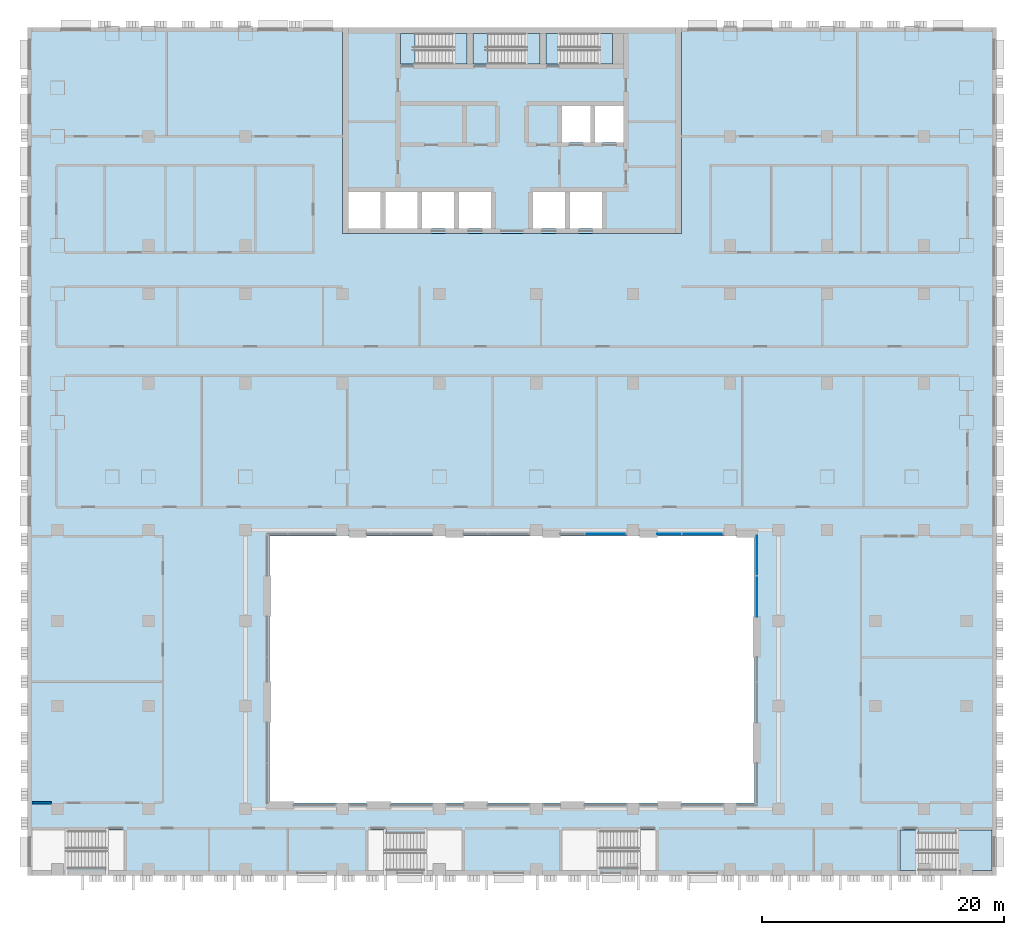
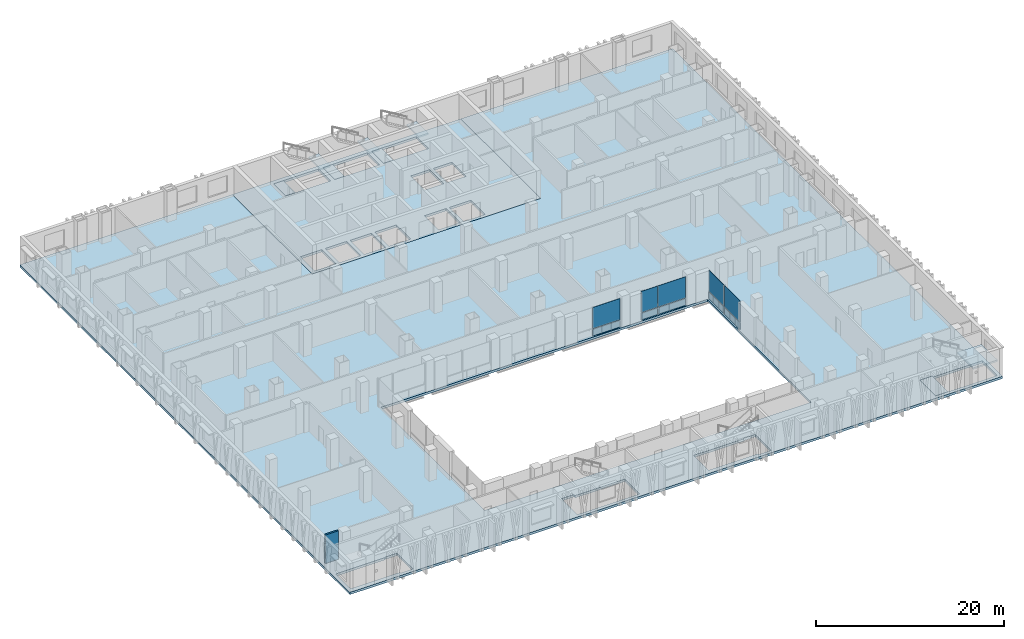
# One storey, part 6 of 25: 10 plates, 10 slabs, 1 wall, 7 elements without a shape of their own.
"""IFC4 building model written with IfcOpenShell, lengths in metres."""

from ifc_helpers import new_model, si_unit, direction, frame, frame_2d, origin, origin_2d, place, context, subcontext, project, spatial, polyline, rectangle, outline, extrude, material, layer, layer_set, type_object, element, aggregate, save


model = new_model("IFC4")

# Units and contexts
model_context = context("Model", 3, precision=1e-05, world=origin(), true_north=direction((0.0, 1.0)))
body_context = subcontext(model_context, "Body", "Model", "MODEL_VIEW")
ifc_project = project(units=[si_unit("LENGTHUNIT", "METRE"), si_unit("AREAUNIT", "SQUARE_METRE"), si_unit("VOLUMEUNIT", "CUBIC_METRE"), si_unit("PLANEANGLEUNIT", "RADIAN"), si_unit("MASSUNIT", "GRAM", prefix="KILO")], contexts=[model_context])

# Site, building, storey
site_placement = place(None, origin())
site = spatial("IfcSite", under=ifc_project, at=site_placement, CompositionType="ELEMENT")
building_placement = place(site_placement, origin())
building = spatial("IfcBuilding", under=site, at=building_placement, Name="Vidyagriha Tower", CompositionType="ELEMENT")
storey_placement = place(building_placement, frame((0.0, 0.0, 14.0)))
storey = spatial("IfcBuildingStorey", under=building, at=storey_placement, Name="L03", CompositionType="ELEMENT", Elevation=14.0)

# Curtain wall, plate
ifc_material_1 = material(Name="Aluminium and glass curtain wall", Category="aluminium")
curtain_wall_type = type_object("IfcCurtainWallType", Name="Atrium screen curtain wall", PredefinedType="USERDEFINED", material=ifc_material_1)
curtain_wall_1_placement = place(storey_placement, origin())
curtain_wall_1 = element("IfcCurtainWall", 1, at=curtain_wall_1_placement, inside=storey, type_object=curtain_wall_type, Name="CW6 atrium screen", ObjectType="UNITISED", PredefinedType="USERDEFINED")
ifc_material_2 = material(Name="Glass dark ceramic-fritted spandrel", Category="glass")
ifc_layer_1 = layer(ifc_material_2, 0.0400390625)
ifc_layer_set_1 = layer_set([ifc_layer_1], Name="Glass dark ceramic-fritted spandrel")
plate_type_1 = type_object("IfcPlateType", Name="Ceramic-fritted spandrel panel", PredefinedType="CURTAIN_PANEL", material=ifc_layer_set_1)
plate_1_placement = place(storey_placement, frame((7.717529296875, -21.800048828125, 0.0)))
plate_1 = element("IfcPlate", 2, at=plate_1_placement, type_object=plate_type_1, Name="CW6 panel 2.1", PredefinedType="CURTAIN_PANEL", context=body_context, shape_type="SweptSolid", body=[
    extrude(rectangle(XDim=3.364990234375, YDim=0.0400390625, at=origin_2d()), origin(), (0.0, 0.0, 1.0), 0.85009765625),
])

# Curtain wall, plates
curtain_wall_2_placement = place(storey_placement, origin())
curtain_wall_2 = element("IfcCurtainWall", 3, at=curtain_wall_2_placement, inside=storey, type_object=curtain_wall_type, Name="CW6 atrium screen", ObjectType="UNITISED", PredefinedType="USERDEFINED")
plate_2_placement = place(storey_placement, frame((12.982421875, -21.800048828125, 0.0)))
plate_2 = element("IfcPlate", 4, at=plate_2_placement, type_object=plate_type_1, Name="CW6 panel 1.1", PredefinedType="CURTAIN_PANEL", context=body_context, shape_type="SweptSolid", body=[
    extrude(rectangle(XDim=1.965087890625, YDim=0.0400390625, at=origin_2d()), origin(), (0.0, 0.0, 1.0), 0.85009765625),
])
plate_3_placement = place(storey_placement, frame((15.717529296875, -21.800048828125, 0.0)))
plate_3 = element("IfcPlate", 5, at=plate_3_placement, type_object=plate_type_1, Name="CW6 panel 2.1", PredefinedType="CURTAIN_PANEL", context=body_context, shape_type="SweptSolid", body=[
    extrude(rectangle(XDim=3.364990234375, YDim=0.0400390625, at=origin_2d()), origin(), (0.0, 0.0, 1.0), 0.85009765625),
])

curtain_wall_3_placement = place(storey_placement, origin())
curtain_wall_3 = element("IfcCurtainWall", 6, at=curtain_wall_3_placement, inside=storey, type_object=curtain_wall_type, Name="CW6 atrium screen", ObjectType="UNITISED", PredefinedType="USERDEFINED")
plate_4_placement = place(storey_placement, frame((20.199951171875, -23.584228515625, 0.0), z_axis=(0.0, 0.0, 1.0), x_axis=(0.0, -1.0, 0.0)))
plate_4 = element("IfcPlate", 7, at=plate_4_placement, type_object=plate_type_1, Name="CW6 panel 1.1", PredefinedType="CURTAIN_PANEL", context=body_context, shape_type="SweptSolid", body=[
    extrude(rectangle(XDim=3.268310546875, YDim=0.0400390625, at=origin_2d()), origin(), (0.0, 0.0, 1.0), 0.85009765625),
])
plate_5_placement = place(storey_placement, frame((20.199951171875, -26.95751953125, 0.0), z_axis=(0.0, 0.0, 1.0), x_axis=(0.0, -1.0, 0.0)))
plate_5 = element("IfcPlate", 8, at=plate_5_placement, type_object=plate_type_1, Name="CW6 panel 2.1", PredefinedType="CURTAIN_PANEL", context=body_context, shape_type="SweptSolid", body=[
    extrude(rectangle(XDim=3.33837890625, YDim=0.0400390625, at=origin_2d()), origin(), (0.0, 0.0, 1.0), 0.85009765625),
])

# Slab
ifc_material_3 = material(Name="Concrete C60/75", Category="concrete")
ifc_layer_2 = layer(ifc_material_3, 0.300048828125)
ifc_layer_set_2 = layer_set([ifc_layer_2], Name="Concrete C60/75")
slab_type_1 = type_object("IfcSlabType", Name="Core floor slab 300 mm", PredefinedType="FLOOR", material=ifc_layer_set_2)
slab_1_placement = place(storey_placement, frame((0.0, 0.0, -0.300048828125)))
element("IfcSlab", 9, at=slab_1_placement, inside=storey, type_object=slab_type_1, Name="L03 core floor 1", PredefinedType="FLOOR", context=body_context, shape_type="SweptSolid", body=[
    extrude(outline(polyline([(-14.0, 3.0), (-14.0, 20.0), (14.0, 20.0), (14.0, 3.0), (-14.0, 3.0)]), holes=[polyline([(9.199951171875, 13.5), (6.86669921875, 13.5), (6.86669921875, 10.5), (9.199951171875, 10.5), (9.199951171875, 13.5)]), polyline([(4.0, 19.5), (2.800048828125, 19.5), (2.800048828125, 16.949951171875), (4.0, 16.949951171875), (8.300048828125, 16.949951171875), (8.300048828125, 19.5), (4.0, 19.5)]), polyline([(7.4111328125, 6.39990234375), (4.7666015625, 6.39990234375), (4.7666015625, 3.39990234375), (7.4111328125, 3.39990234375), (7.4111328125, 6.39990234375)]), polyline([(6.466796875, 13.5), (4.13330078125, 13.5), (4.13330078125, 10.5), (6.466796875, 10.5), (6.466796875, 13.5)]), polyline([(1.72216796875, 6.39990234375), (1.72216796875, 3.39990234375), (4.36669921875, 3.39990234375), (4.36669921875, 6.39990234375), (1.72216796875, 6.39990234375)]), polyline([(-2.0, 16.949951171875), (2.300048828125, 16.949951171875), (2.300048828125, 19.5), (-2.0, 19.5), (-3.199951171875, 19.5), (-3.199951171875, 16.949951171875), (-2.0, 16.949951171875)]), polyline([(-1.72216796875, 6.39990234375), (-4.36669921875, 6.39990234375), (-4.36669921875, 3.39990234375), (-1.72216796875, 3.39990234375), (-1.72216796875, 6.39990234375)]), polyline([(-8.0, 19.5), (-9.199951171875, 19.5), (-9.199951171875, 16.949951171875), (-8.0, 16.949951171875), (-3.699951171875, 16.949951171875), (-3.699951171875, 19.5), (-8.0, 19.5)]), polyline([(-4.7666015625, 6.39990234375), (-7.4111328125, 6.39990234375), (-7.4111328125, 3.39990234375), (-4.7666015625, 3.39990234375), (-4.7666015625, 6.39990234375)]), polyline([(-7.81103515625, 6.39990234375), (-10.45556640625, 6.39990234375), (-10.45556640625, 3.39990234375), (-7.81103515625, 3.39990234375), (-7.81103515625, 6.39990234375)]), polyline([(-13.5, 6.39990234375), (-13.5, 3.39990234375), (-10.855712890625, 3.39990234375), (-10.855712890625, 6.39990234375), (-13.5, 6.39990234375)])]), origin(), (0.0, 0.0, 1.0), 0.300048828125),
])

# Plate
ifc_material_4 = material(Name="Glass dark ceramic-fritted", Category="glass")
ifc_layer_3 = layer(ifc_material_4, 0.028076171875)
ifc_layer_set_3 = layer_set([ifc_layer_3], Name="Glass dark ceramic-fritted")
plate_type_2 = type_object("IfcPlateType", Name="Dark ceramic-fritted vision glass panel", PredefinedType="CURTAIN_PANEL", material=ifc_layer_set_3)
plate_6_placement = place(storey_placement, frame((7.717529296875, -21.800048828125, 0.949951171875)))
plate_6 = element("IfcPlate", 10, at=plate_6_placement, type_object=plate_type_2, Name="CW6 panel 2.2", PredefinedType="CURTAIN_PANEL", context=body_context, shape_type="SweptSolid", body=[
    extrude(rectangle(XDim=3.364990234375, YDim=0.028076171875, at=origin_2d()), origin(), (0.0, 0.0, 1.0), 2.75),
])

aggregate(curtain_wall_1, [plate_1, plate_6])

plate_7_placement = place(storey_placement, frame((12.982421875, -21.800048828125, 0.949951171875)))
plate_7 = element("IfcPlate", 11, at=plate_7_placement, type_object=plate_type_2, Name="CW6 panel 1.2", PredefinedType="CURTAIN_PANEL", context=body_context, shape_type="SweptSolid", body=[
    extrude(rectangle(XDim=1.965087890625, YDim=0.028076171875, at=origin_2d()), origin(), (0.0, 0.0, 1.0), 2.75),
])

plate_8_placement = place(storey_placement, frame((15.717529296875, -21.800048828125, 0.949951171875)))
plate_8 = element("IfcPlate", 12, at=plate_8_placement, type_object=plate_type_2, Name="CW6 panel 2.2", PredefinedType="CURTAIN_PANEL", context=body_context, shape_type="SweptSolid", body=[
    extrude(rectangle(XDim=3.364990234375, YDim=0.028076171875, at=origin_2d()), origin(), (0.0, 0.0, 1.0), 2.75),
])

aggregate(curtain_wall_2, [plate_2, plate_7, plate_3, plate_8])

plate_9_placement = place(storey_placement, frame((20.199951171875, -23.584228515625, 0.949951171875), z_axis=(0.0, 0.0, 1.0), x_axis=(0.0, -1.0, 0.0)))
plate_9 = element("IfcPlate", 13, at=plate_9_placement, type_object=plate_type_2, Name="CW6 panel 1.2", PredefinedType="CURTAIN_PANEL", context=body_context, shape_type="SweptSolid", body=[
    extrude(rectangle(XDim=3.268310546875, YDim=0.028076171875, at=origin_2d()), origin(), (0.0, 0.0, 1.0), 2.75),
])

plate_10_placement = place(storey_placement, frame((20.199951171875, -26.95751953125, 0.949951171875), z_axis=(0.0, 0.0, 1.0), x_axis=(0.0, -1.0, 0.0)))
plate_10 = element("IfcPlate", 14, at=plate_10_placement, type_object=plate_type_2, Name="CW6 panel 2.2", PredefinedType="CURTAIN_PANEL", context=body_context, shape_type="SweptSolid", body=[
    extrude(rectangle(XDim=3.33837890625, YDim=0.028076171875, at=origin_2d()), origin(), (0.0, 0.0, 1.0), 2.75),
])

aggregate(curtain_wall_3, [plate_4, plate_9, plate_5, plate_10])

# Slabs
ifc_material_5 = material(Name="Concrete C40/50", Category="concrete")
ifc_layer_4 = layer(ifc_material_5, 0.300048828125)
ifc_layer_set_4 = layer_set([ifc_layer_4], Name="Concrete C40/50")
slab_type_2 = type_object("IfcSlabType", Name="Exit stair floor landing 300 mm", PredefinedType="LANDING", material=ifc_layer_set_4)
slab_2_placement = place(storey_placement, frame((0.0, 0.0, -0.300048828125)))
element("IfcSlab", 15, at=slab_2_placement, inside=storey, type_object=slab_type_2, Name="ST1 floor landing L03", PredefinedType="LANDING", context=body_context, shape_type="SweptSolid", body=[
    extrude(outline(polyline([(-9.199951171875, 16.949951171875), (-8.0, 16.949951171875), (-8.0, 19.5), (-9.199951171875, 19.5), (-9.199951171875, 16.949951171875)])), origin(), (0.0, 0.0, 1.0), 0.300048828125),
])
slab_3_placement = place(storey_placement, frame((0.0, 0.0, -0.300048828125)))
element("IfcSlab", 16, at=slab_3_placement, inside=storey, type_object=slab_type_2, Name="ST2 floor landing L03", PredefinedType="LANDING", context=body_context, shape_type="SweptSolid", body=[
    extrude(outline(polyline([(-3.199951171875, 16.949951171875), (-2.0, 16.949951171875), (-2.0, 19.5), (-3.199951171875, 19.5), (-3.199951171875, 16.949951171875)])), origin(), (0.0, 0.0, 1.0), 0.300048828125),
])
slab_4_placement = place(storey_placement, frame((0.0, 0.0, -0.300048828125)))
element("IfcSlab", 17, at=slab_4_placement, inside=storey, type_object=slab_type_2, Name="ST3 floor landing L03", PredefinedType="LANDING", context=body_context, shape_type="SweptSolid", body=[
    extrude(outline(polyline([(2.800048828125, 16.949951171875), (4.0, 16.949951171875), (4.0, 19.5), (2.800048828125, 19.5), (2.800048828125, 16.949951171875)])), origin(), (0.0, 0.0, 1.0), 0.300048828125),
])

# Stair, slab
ifc_material_6 = material(Name="Concrete C40/50", Category="concrete")
stair_type_1 = type_object("IfcStairType", Name="Exit stair, half-turn, precast flights", PredefinedType="HALF_TURN_STAIR", material=ifc_material_6)
stair_1_placement = place(storey_placement, origin())
stair_1 = element("IfcStair", 18, at=stair_1_placement, inside=storey, type_object=stair_type_1, Name="L03 Exit Stair ST1", PredefinedType="HALF_TURN_STAIR")
ifc_material_7 = material(Name="Concrete C40/50", Category="concrete")
ifc_layer_5 = layer(ifc_material_7, 0.199951171875)
ifc_layer_set_5 = layer_set([ifc_layer_5], Name="Concrete C40/50")
slab_type_3 = type_object("IfcSlabType", Name="Exit stair landing 200 mm", PredefinedType="LANDING", material=ifc_layer_set_5)
slab_5_placement = place(storey_placement, frame((0.0, 0.0, 1.800048828125)))
slab_5 = element("IfcSlab", 19, at=slab_5_placement, type_object=slab_type_3, Name="ST1 landing 1", PredefinedType="LANDING", context=body_context, shape_type="SweptSolid", body=[
    extrude(outline(polyline([(-4.919921875, 16.949951171875), (-3.699951171875, 16.949951171875), (-3.699951171875, 19.5), (-4.919921875, 19.5), (-4.919921875, 16.949951171875)])), origin(), (0.0, 0.0, 1.0), 0.199951171875),
])
aggregate(stair_1, [slab_5])

stair_2_placement = place(storey_placement, origin())
stair_2 = element("IfcStair", 20, at=stair_2_placement, inside=storey, type_object=stair_type_1, Name="L03 Exit Stair ST2", PredefinedType="HALF_TURN_STAIR")
slab_6_placement = place(storey_placement, frame((0.0, 0.0, 1.800048828125)))
slab_6 = element("IfcSlab", 21, at=slab_6_placement, type_object=slab_type_3, Name="ST2 landing 1", PredefinedType="LANDING", context=body_context, shape_type="SweptSolid", body=[
    extrude(outline(polyline([(1.080078125, 16.949951171875), (2.300048828125, 16.949951171875), (2.300048828125, 19.5), (1.080078125, 19.5), (1.080078125, 16.949951171875)])), origin(), (0.0, 0.0, 1.0), 0.199951171875),
])
aggregate(stair_2, [slab_6])

stair_3_placement = place(storey_placement, origin())
stair_3 = element("IfcStair", 22, at=stair_3_placement, inside=storey, type_object=stair_type_1, Name="L03 Exit Stair ST3", PredefinedType="HALF_TURN_STAIR")
slab_7_placement = place(storey_placement, frame((0.0, 0.0, 1.800048828125)))
slab_7 = element("IfcSlab", 23, at=slab_7_placement, type_object=slab_type_3, Name="ST3 landing 1", PredefinedType="LANDING", context=body_context, shape_type="SweptSolid", body=[
    extrude(outline(polyline([(7.080078125, 16.949951171875), (8.300048828125, 16.949951171875), (8.300048828125, 19.5), (7.080078125, 19.5), (7.080078125, 16.949951171875)])), origin(), (0.0, 0.0, 1.0), 0.199951171875),
])
aggregate(stair_3, [slab_7])

ifc_material_8 = material(Name="Concrete C32/40", Category="concrete")
stair_type_2 = type_object("IfcStairType", Name="Podium Exit Stair 1500", PredefinedType="HALF_TURN_STAIR", material=ifc_material_8)
stair_4_placement = place(storey_placement, origin())
stair_4 = element("IfcStair", 24, at=stair_4_placement, inside=storey, type_object=stair_type_2, Name="L03 Exit Stair PS2", PredefinedType="HALF_TURN_STAIR")
ifc_material_9 = material(Name="Concrete C32/40", Category="concrete")
ifc_layer_6 = layer(ifc_material_9, 0.199951171875)
ifc_layer_set_6 = layer_set([ifc_layer_6], Name="Concrete C32/40")
slab_type_4 = type_object("IfcSlabType", Name="Podium Stair Landing 200", PredefinedType="LANDING", material=ifc_layer_set_6)
slab_8_placement = place(storey_placement, frame((0.0, 0.0, 1.800048828125)))
slab_8 = element("IfcSlab", 25, at=slab_8_placement, type_object=slab_type_4, Name="PS2 landing 1", PredefinedType="LANDING", context=body_context, shape_type="SweptSolid", body=[
    extrude(outline(polyline([(36.625, -49.60009765625), (39.60009765625, -49.60009765625), (39.60009765625, -46.22509765625), (36.625, -46.22509765625), (36.625, -49.60009765625)])), origin(), (0.0, 0.0, 1.0), 0.199951171875),
])
aggregate(stair_4, [slab_8])

# Slabs
ifc_material_10 = material(Name="Concrete C32/40", Category="concrete")
ifc_layer_7 = layer(ifc_material_10, 0.300048828125)
ifc_layer_set_7 = layer_set([ifc_layer_7], Name="Concrete C32/40")
slab_type_5 = type_object("IfcSlabType", Name="Podium stair floor landing 300 mm", PredefinedType="LANDING", material=ifc_layer_set_7)
slab_9_placement = place(storey_placement, frame((0.0, 0.0, -0.300048828125)))
element("IfcSlab", 26, at=slab_9_placement, inside=storey, type_object=slab_type_5, Name="PS2 floor landing L03", PredefinedType="LANDING", context=body_context, shape_type="SweptSolid", body=[
    extrude(outline(polyline([(32.02490234375, -49.60009765625), (33.544921875, -49.60009765625), (33.544921875, -46.22509765625), (32.02490234375, -46.22509765625), (32.02490234375, -49.60009765625)])), origin(), (0.0, 0.0, 1.0), 0.300048828125),
])
ifc_material_11 = material(Name="Concrete C50/60", Category="concrete")
ifc_layer_8 = layer(ifc_material_11, 0.300048828125)
ifc_layer_set_8 = layer_set([ifc_layer_8], Name="Concrete C50/60")
slab_type_6 = type_object("IfcSlabType", Name="Post-tensioned flat plate 300", PredefinedType="FLOOR", material=ifc_layer_set_8)
slab_10_placement = place(storey_placement, frame((0.0, 0.0, -0.300048828125)))
element("IfcSlab", 27, at=slab_10_placement, inside=storey, type_object=slab_type_6, Name="st-slab-L03-1", PredefinedType="FLOOR", context=body_context, shape_type="SweptSolid", body=[
    extrude(outline(polyline([(-40.0, 20.0), (-14.0, 20.0), (-14.0, 3.0), (14.0, 3.0), (14.0, 20.0), (40.0, 20.0), (40.0, -50.0), (-40.0, -50.0), (-40.0, 20.0)]), holes=[polyline([(-20.0, -22.0), (-20.0, -44.0), (20.0, -44.0), (20.0, -22.0), (-20.0, -22.0)]), polyline([(-33.544921875, -46.22509765625), (-33.544921875, -46.300048828125), (-39.574951171875, -46.300048828125), (-39.574951171875, -49.449951171875), (-33.544921875, -49.449951171875), (-33.544921875, -49.60009765625), (-32.02490234375, -49.60009765625), (-32.02490234375, -46.22509765625), (-33.544921875, -46.22509765625)]), polyline([(39.574951171875, -49.60009765625), (39.574951171875, -46.449951171875), (33.544921875, -46.449951171875), (33.544921875, -46.22509765625), (32.02490234375, -46.22509765625), (32.02490234375, -49.60009765625), (33.544921875, -49.60009765625), (39.574951171875, -49.60009765625)]), polyline([(-11.875, -49.60009765625), (-10.35498046875, -49.60009765625), (-4.2548828125, -49.60009765625), (-4.2548828125, -46.449951171875), (-10.35498046875, -46.449951171875), (-10.35498046875, -46.22509765625), (-11.875, -46.22509765625), (-11.875, -49.60009765625)]), polyline([(4.2548828125, -46.300048828125), (4.2548828125, -49.449951171875), (10.35498046875, -49.449951171875), (10.35498046875, -49.60009765625), (11.875, -49.60009765625), (11.875, -46.22509765625), (10.35498046875, -46.22509765625), (10.35498046875, -46.300048828125), (4.2548828125, -46.300048828125)])]), origin(), (0.0, 0.0, 1.0), 0.300048828125),
])

# Wall
ifc_material_12 = material(Name="Fire rated gypsum board on light gauge framing")
ifc_layer_9 = layer(ifc_material_12, 0.199951171875)
ifc_layer_set_9 = layer_set([ifc_layer_9], Name="Fire rated gypsum board on light gauge framing")
wall_type = type_object("IfcWallType", Name="Fire Rated Corridor Wall 200", PredefinedType="PARTITIONING", material=ifc_layer_set_9)
wall_placement = place(storey_placement, frame((-39.60009765625, -44.0, 0.0)))
element("IfcWall", 28, at=wall_placement, inside=storey, type_object=wall_type, Name="L03 Fire Rated Corridor Wall 200 007", PredefinedType="PARTITIONING", context=body_context, shape_type="SweptSolid", body=[
    extrude(rectangle(XDim=1.60009765625, YDim=0.199951171875, at=frame_2d((0.800048828125, 0.0))), origin(), (0.0, 0.0, 1.0), 3.699951171875),
])

save(model, "model.ifc")
